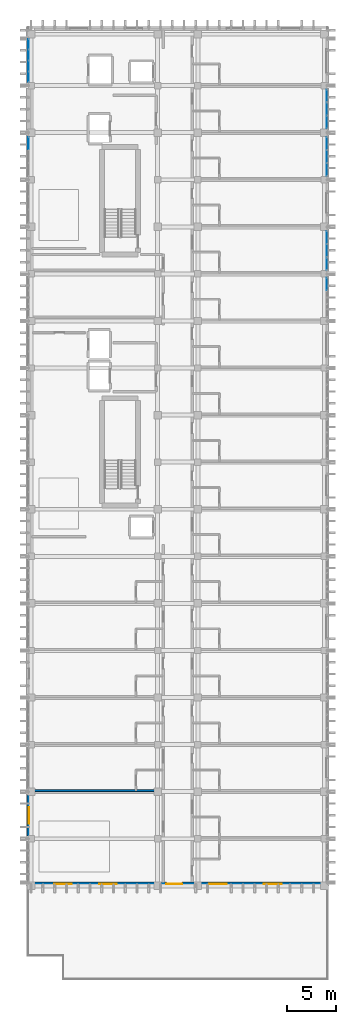
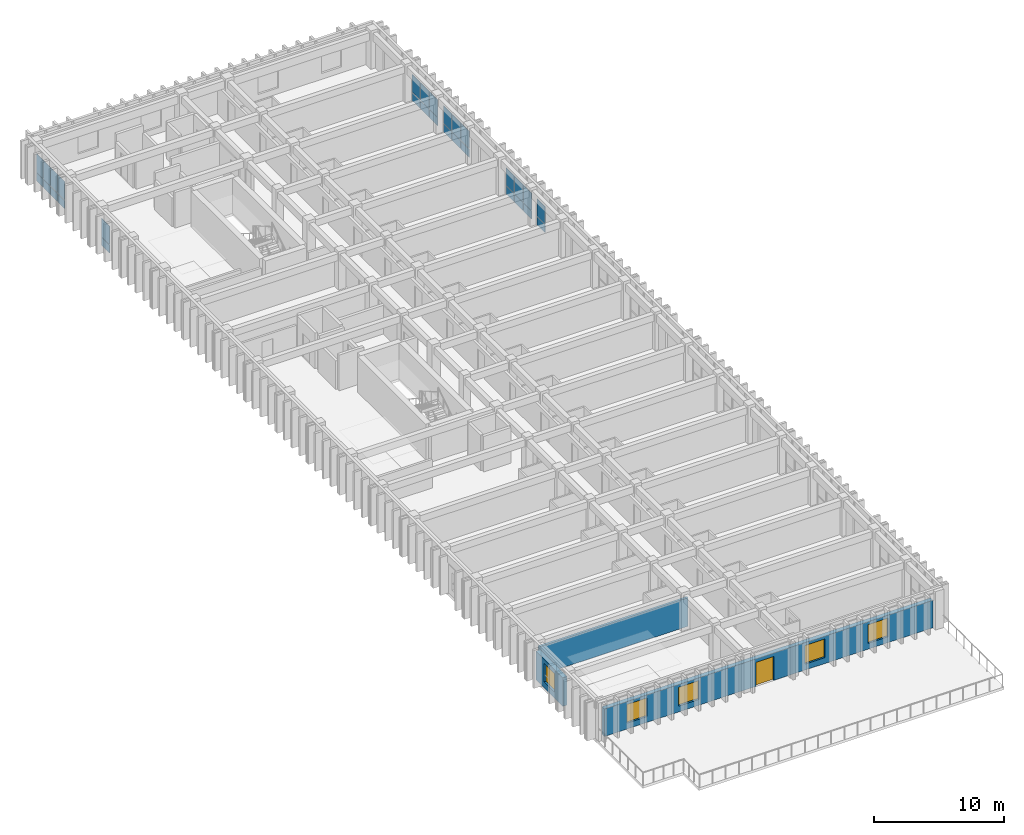
# One storey, part 49 of 64: 30 plates, 5 windows, 3 walls, 1 door, 6 openings, 6 elements without a shape of their own.
"""IFC4 building model written with IfcOpenShell, lengths in metres."""

from ifc_helpers import new_model, si_unit, direction, frame, frame_2d, origin, origin_2d, place, context, subcontext, project, spatial, rectangle, extrude, material, layer, layer_set, type_object, element, fill, aggregate, save


model = new_model("IFC4")

# Units and contexts
model_context = context("Model", 3, precision=1e-05, world=origin(), true_north=direction((0.0, 1.0)))
body_context = subcontext(model_context, "Body", "Model", "MODEL_VIEW")
ifc_project = project(units=[si_unit("LENGTHUNIT", "METRE"), si_unit("AREAUNIT", "SQUARE_METRE"), si_unit("VOLUMEUNIT", "CUBIC_METRE"), si_unit("PLANEANGLEUNIT", "RADIAN"), si_unit("MASSUNIT", "GRAM", prefix="KILO")], contexts=[model_context])

# Site, building, storey
site_placement = place(None, origin())
site = spatial("IfcSite", under=ifc_project, at=site_placement, CompositionType="ELEMENT")
building_placement = place(site_placement, origin())
building = spatial("IfcBuilding", under=site, at=building_placement, Name="Nakhvara Creek Congress Hotel", CompositionType="ELEMENT")
storey_placement = place(building_placement, frame((0.0, 0.0, 28.199951171875)))
storey = spatial("IfcBuildingStorey", under=building, at=storey_placement, Name="L06", CompositionType="ELEMENT", Elevation=28.199951171875)

# Curtain wall, plates
ifc_material_1 = material(Name="Bronze-anodised aluminium AW-6063-T6 and double-silver low-E glass", Category="aluminium")
ifc_layer_1 = layer(ifc_material_1, 0.199951171875)
ifc_layer_set_1 = layer_set([ifc_layer_1], Name="Bronze-anodised aluminium AW-6063-T6 and double-silver low-E glass")
curtain_wall_type = type_object("IfcCurtainWallType", Name="CW-HTL-UNIT", PredefinedType="USERDEFINED", material=ifc_layer_set_1)
curtain_wall_1_placement = place(storey_placement, origin())
curtain_wall_1 = element("IfcCurtainWall", 1, at=curtain_wall_1_placement, inside=storey, type_object=curtain_wall_type, Name="Curtain Wall CW247", ObjectType="UNITISED", PredefinedType="USERDEFINED")
ifc_material_2 = material(Name="Double-silver solar-control low-E insulated glass", Category="glass")
plate_type_1 = type_object("IfcPlateType", Name="PNL-GLZ-120X250", PredefinedType="CURTAIN_PANEL", material=ifc_material_2)
plate_1_placement = place(storey_placement, frame((179.60009765625, 104.515380859375, 0.065185546875), z_axis=(0.0, 0.0, 1.0), x_axis=(0.0, -1.0, 0.0)))
plate_1 = element("IfcPlate", 2, at=plate_1_placement, type_object=plate_type_1, Name="CW247 panel 1.1", PredefinedType="CURTAIN_PANEL", context=body_context, shape_type="SweptSolid", body=[
    extrude(rectangle(XDim=1.25927734375, YDim=0.028076171875, at=origin_2d()), origin(), (0.0, 0.0, 1.0), 0.75244140625),
])
plate_2_placement = place(storey_placement, frame((179.60009765625, 104.515380859375, 0.88232421875), z_axis=(0.0, 0.0, 1.0), x_axis=(0.0, -1.0, 0.0)))
plate_2 = element("IfcPlate", 3, at=plate_2_placement, type_object=plate_type_1, Name="CW247 panel 1.2", PredefinedType="CURTAIN_PANEL", context=body_context, shape_type="SweptSolid", body=[
    extrude(rectangle(XDim=1.25927734375, YDim=0.028076171875, at=origin_2d()), origin(), (0.0, 0.0, 1.0), 1.634521484375),
])
plate_3_placement = place(storey_placement, frame((179.60009765625, 103.175048828125, 0.065185546875), z_axis=(0.0, 0.0, 1.0), x_axis=(0.0, -1.0, 0.0)))
plate_3 = element("IfcPlate", 4, at=plate_3_placement, type_object=plate_type_1, Name="CW247 panel 2.1", PredefinedType="CURTAIN_PANEL", context=body_context, shape_type="SweptSolid", body=[
    extrude(rectangle(XDim=1.291748046875, YDim=0.028076171875, at=origin_2d()), origin(), (0.0, 0.0, 1.0), 0.75244140625),
])
plate_4_placement = place(storey_placement, frame((179.60009765625, 103.175048828125, 0.88232421875), z_axis=(0.0, 0.0, 1.0), x_axis=(0.0, -1.0, 0.0)))
plate_4 = element("IfcPlate", 5, at=plate_4_placement, type_object=plate_type_1, Name="CW247 panel 2.2", PredefinedType="CURTAIN_PANEL", context=body_context, shape_type="SweptSolid", body=[
    extrude(rectangle(XDim=1.291748046875, YDim=0.028076171875, at=origin_2d()), origin(), (0.0, 0.0, 1.0), 1.634521484375),
])
plate_5_placement = place(storey_placement, frame((179.60009765625, 101.83447265625, 0.065185546875), z_axis=(0.0, 0.0, 1.0), x_axis=(0.0, -1.0, 0.0)))
plate_5 = element("IfcPlate", 6, at=plate_5_placement, type_object=plate_type_1, Name="CW247 panel 3.1", PredefinedType="CURTAIN_PANEL", context=body_context, shape_type="SweptSolid", body=[
    extrude(rectangle(XDim=1.25927734375, YDim=0.028076171875, at=origin_2d()), origin(), (0.0, 0.0, 1.0), 0.75244140625),
])
plate_6_placement = place(storey_placement, frame((179.60009765625, 101.83447265625, 0.88232421875), z_axis=(0.0, 0.0, 1.0), x_axis=(0.0, -1.0, 0.0)))
plate_6 = element("IfcPlate", 7, at=plate_6_placement, type_object=plate_type_1, Name="CW247 panel 3.2", PredefinedType="CURTAIN_PANEL", context=body_context, shape_type="SweptSolid", body=[
    extrude(rectangle(XDim=1.25927734375, YDim=0.028076171875, at=origin_2d()), origin(), (0.0, 0.0, 1.0), 1.634521484375),
])
aggregate(curtain_wall_1, [plate_1, plate_2, plate_3, plate_4, plate_5, plate_6])

curtain_wall_2_placement = place(storey_placement, origin())
curtain_wall_2 = element("IfcCurtainWall", 8, at=curtain_wall_2_placement, inside=storey, type_object=curtain_wall_type, Name="Curtain Wall CW249", ObjectType="UNITISED", PredefinedType="USERDEFINED")
plate_7_placement = place(storey_placement, frame((179.60009765625, 114.115478515625, 0.065185546875), z_axis=(0.0, 0.0, 1.0), x_axis=(0.0, -1.0, 0.0)))
plate_7 = element("IfcPlate", 9, at=plate_7_placement, type_object=plate_type_1, Name="CW249 panel 1.1", PredefinedType="CURTAIN_PANEL", context=body_context, shape_type="SweptSolid", body=[
    extrude(rectangle(XDim=1.25927734375, YDim=0.028076171875, at=origin_2d()), origin(), (0.0, 0.0, 1.0), 0.75244140625),
])
plate_8_placement = place(storey_placement, frame((179.60009765625, 114.115478515625, 0.88232421875), z_axis=(0.0, 0.0, 1.0), x_axis=(0.0, -1.0, 0.0)))
plate_8 = element("IfcPlate", 10, at=plate_8_placement, type_object=plate_type_1, Name="CW249 panel 1.2", PredefinedType="CURTAIN_PANEL", context=body_context, shape_type="SweptSolid", body=[
    extrude(rectangle(XDim=1.25927734375, YDim=0.028076171875, at=origin_2d()), origin(), (0.0, 0.0, 1.0), 1.634521484375),
])
plate_9_placement = place(storey_placement, frame((179.60009765625, 112.77490234375, 0.065185546875), z_axis=(0.0, 0.0, 1.0), x_axis=(0.0, -1.0, 0.0)))
plate_9 = element("IfcPlate", 11, at=plate_9_placement, type_object=plate_type_1, Name="CW249 panel 2.1", PredefinedType="CURTAIN_PANEL", context=body_context, shape_type="SweptSolid", body=[
    extrude(rectangle(XDim=1.291748046875, YDim=0.028076171875, at=origin_2d()), origin(), (0.0, 0.0, 1.0), 0.75244140625),
])
plate_10_placement = place(storey_placement, frame((179.60009765625, 112.77490234375, 0.88232421875), z_axis=(0.0, 0.0, 1.0), x_axis=(0.0, -1.0, 0.0)))
plate_10 = element("IfcPlate", 12, at=plate_10_placement, type_object=plate_type_1, Name="CW249 panel 2.2", PredefinedType="CURTAIN_PANEL", context=body_context, shape_type="SweptSolid", body=[
    extrude(rectangle(XDim=1.291748046875, YDim=0.028076171875, at=origin_2d()), origin(), (0.0, 0.0, 1.0), 1.634521484375),
])
plate_11_placement = place(storey_placement, frame((179.60009765625, 111.4345703125, 0.065185546875), z_axis=(0.0, 0.0, 1.0), x_axis=(0.0, -1.0, 0.0)))
plate_11 = element("IfcPlate", 13, at=plate_11_placement, type_object=plate_type_1, Name="CW249 panel 3.1", PredefinedType="CURTAIN_PANEL", context=body_context, shape_type="SweptSolid", body=[
    extrude(rectangle(XDim=1.25927734375, YDim=0.028076171875, at=origin_2d()), origin(), (0.0, 0.0, 1.0), 0.75244140625),
])
plate_12_placement = place(storey_placement, frame((179.60009765625, 111.4345703125, 0.88232421875), z_axis=(0.0, 0.0, 1.0), x_axis=(0.0, -1.0, 0.0)))
plate_12 = element("IfcPlate", 14, at=plate_12_placement, type_object=plate_type_1, Name="CW249 panel 3.2", PredefinedType="CURTAIN_PANEL", context=body_context, shape_type="SweptSolid", body=[
    extrude(rectangle(XDim=1.25927734375, YDim=0.028076171875, at=origin_2d()), origin(), (0.0, 0.0, 1.0), 1.634521484375),
])
aggregate(curtain_wall_2, [plate_7, plate_8, plate_9, plate_10, plate_11, plate_12])

curtain_wall_3_placement = place(storey_placement, origin())
curtain_wall_3 = element("IfcCurtainWall", 15, at=curtain_wall_3_placement, inside=storey, type_object=curtain_wall_type, Name="Curtain Wall CW250", ObjectType="UNITISED", PredefinedType="USERDEFINED")
plate_13_placement = place(storey_placement, frame((149.199951171875, 114.115478515625, 0.065185546875), z_axis=(0.0, 0.0, 1.0), x_axis=(0.0, 1.0, 0.0)))
plate_13 = element("IfcPlate", 16, at=plate_13_placement, type_object=plate_type_1, Name="CW250 panel 3.1", PredefinedType="CURTAIN_PANEL", context=body_context, shape_type="SweptSolid", body=[
    extrude(rectangle(XDim=1.25927734375, YDim=0.028076171875, at=origin_2d()), origin(), (0.0, 0.0, 1.0), 0.75244140625),
])
plate_14_placement = place(storey_placement, frame((149.199951171875, 114.115478515625, 0.88232421875), z_axis=(0.0, 0.0, 1.0), x_axis=(0.0, 1.0, 0.0)))
plate_14 = element("IfcPlate", 17, at=plate_14_placement, type_object=plate_type_1, Name="CW250 panel 3.2", PredefinedType="CURTAIN_PANEL", context=body_context, shape_type="SweptSolid", body=[
    extrude(rectangle(XDim=1.25927734375, YDim=0.028076171875, at=origin_2d()), origin(), (0.0, 0.0, 1.0), 1.734619140625),
])
aggregate(curtain_wall_3, [plate_13, plate_14])

curtain_wall_4_placement = place(storey_placement, origin())
curtain_wall_4 = element("IfcCurtainWall", 18, at=curtain_wall_4_placement, inside=storey, type_object=curtain_wall_type, Name="Curtain Wall CW251", ObjectType="UNITISED", PredefinedType="USERDEFINED")
plate_15_placement = place(storey_placement, frame((179.60009765625, 118.96533203125, 0.065185546875), z_axis=(0.0, 0.0, 1.0), x_axis=(0.0, -1.0, 0.0)))
plate_15 = element("IfcPlate", 19, at=plate_15_placement, type_object=plate_type_1, Name="CW251 panel 1.1", PredefinedType="CURTAIN_PANEL", context=body_context, shape_type="SweptSolid", body=[
    extrude(rectangle(XDim=1.25927734375, YDim=0.028076171875, at=origin_2d()), origin(), (0.0, 0.0, 1.0), 0.75244140625),
])
plate_16_placement = place(storey_placement, frame((179.60009765625, 118.96533203125, 0.88232421875), z_axis=(0.0, 0.0, 1.0), x_axis=(0.0, -1.0, 0.0)))
plate_16 = element("IfcPlate", 20, at=plate_16_placement, type_object=plate_type_1, Name="CW251 panel 1.2", PredefinedType="CURTAIN_PANEL", context=body_context, shape_type="SweptSolid", body=[
    extrude(rectangle(XDim=1.25927734375, YDim=0.028076171875, at=origin_2d()), origin(), (0.0, 0.0, 1.0), 1.634521484375),
])
plate_17_placement = place(storey_placement, frame((179.60009765625, 117.625, 0.065185546875), z_axis=(0.0, 0.0, 1.0), x_axis=(0.0, -1.0, 0.0)))
plate_17 = element("IfcPlate", 21, at=plate_17_placement, type_object=plate_type_1, Name="CW251 panel 2.1", PredefinedType="CURTAIN_PANEL", context=body_context, shape_type="SweptSolid", body=[
    extrude(rectangle(XDim=1.291748046875, YDim=0.028076171875, at=origin_2d()), origin(), (0.0, 0.0, 1.0), 0.75244140625),
])
plate_18_placement = place(storey_placement, frame((179.60009765625, 117.625, 0.88232421875), z_axis=(0.0, 0.0, 1.0), x_axis=(0.0, -1.0, 0.0)))
plate_18 = element("IfcPlate", 22, at=plate_18_placement, type_object=plate_type_1, Name="CW251 panel 2.2", PredefinedType="CURTAIN_PANEL", context=body_context, shape_type="SweptSolid", body=[
    extrude(rectangle(XDim=1.291748046875, YDim=0.028076171875, at=origin_2d()), origin(), (0.0, 0.0, 1.0), 1.634521484375),
])
plate_19_placement = place(storey_placement, frame((179.60009765625, 116.28466796875, 0.065185546875), z_axis=(0.0, 0.0, 1.0), x_axis=(0.0, -1.0, 0.0)))
plate_19 = element("IfcPlate", 23, at=plate_19_placement, type_object=plate_type_1, Name="CW251 panel 3.1", PredefinedType="CURTAIN_PANEL", context=body_context, shape_type="SweptSolid", body=[
    extrude(rectangle(XDim=1.25927734375, YDim=0.028076171875, at=origin_2d()), origin(), (0.0, 0.0, 1.0), 0.75244140625),
])
plate_20_placement = place(storey_placement, frame((179.60009765625, 116.28466796875, 0.88232421875), z_axis=(0.0, 0.0, 1.0), x_axis=(0.0, -1.0, 0.0)))
plate_20 = element("IfcPlate", 24, at=plate_20_placement, type_object=plate_type_1, Name="CW251 panel 3.2", PredefinedType="CURTAIN_PANEL", context=body_context, shape_type="SweptSolid", body=[
    extrude(rectangle(XDim=1.25927734375, YDim=0.028076171875, at=origin_2d()), origin(), (0.0, 0.0, 1.0), 1.634521484375),
])
aggregate(curtain_wall_4, [plate_15, plate_16, plate_17, plate_18, plate_19, plate_20])

curtain_wall_5_placement = place(storey_placement, origin())
curtain_wall_5 = element("IfcCurtainWall", 25, at=curtain_wall_5_placement, inside=storey, type_object=curtain_wall_type, Name="Curtain Wall CW252", ObjectType="UNITISED", PredefinedType="USERDEFINED")
plate_21_placement = place(storey_placement, frame((149.199951171875, 120.913818359375, 0.065185546875), z_axis=(0.0, 0.0, 1.0), x_axis=(0.0, 1.0, 0.0)))
plate_21 = element("IfcPlate", 26, at=plate_21_placement, type_object=plate_type_1, Name="CW252 panel 1.1", PredefinedType="CURTAIN_PANEL", context=body_context, shape_type="SweptSolid", body=[
    extrude(rectangle(XDim=1.017578125, YDim=0.028076171875, at=origin_2d()), origin(), (0.0, 0.0, 1.0), 0.75244140625),
])
plate_22_placement = place(storey_placement, frame((149.199951171875, 120.913818359375, 0.88232421875), z_axis=(0.0, 0.0, 1.0), x_axis=(0.0, 1.0, 0.0)))
plate_22 = element("IfcPlate", 27, at=plate_22_placement, type_object=plate_type_1, Name="CW252 panel 1.2", PredefinedType="CURTAIN_PANEL", context=body_context, shape_type="SweptSolid", body=[
    extrude(rectangle(XDim=1.017578125, YDim=0.028076171875, at=origin_2d()), origin(), (0.0, 0.0, 1.0), 1.734619140625),
])
plate_23_placement = place(storey_placement, frame((149.199951171875, 122.012451171875, 0.065185546875), z_axis=(0.0, 0.0, 1.0), x_axis=(0.0, 1.0, 0.0)))
plate_23 = element("IfcPlate", 28, at=plate_23_placement, type_object=plate_type_1, Name="CW252 panel 2.1", PredefinedType="CURTAIN_PANEL", context=body_context, shape_type="SweptSolid", body=[
    extrude(rectangle(XDim=1.050048828125, YDim=0.028076171875, at=origin_2d()), origin(), (0.0, 0.0, 1.0), 0.75244140625),
])
plate_24_placement = place(storey_placement, frame((149.199951171875, 122.012451171875, 0.88232421875), z_axis=(0.0, 0.0, 1.0), x_axis=(0.0, 1.0, 0.0)))
plate_24 = element("IfcPlate", 29, at=plate_24_placement, type_object=plate_type_1, Name="CW252 panel 2.2", PredefinedType="CURTAIN_PANEL", context=body_context, shape_type="SweptSolid", body=[
    extrude(rectangle(XDim=1.050048828125, YDim=0.028076171875, at=origin_2d()), origin(), (0.0, 0.0, 1.0), 1.734619140625),
])
plate_25_placement = place(storey_placement, frame((149.199951171875, 123.12744140625, 0.065185546875), z_axis=(0.0, 0.0, 1.0), x_axis=(0.0, 1.0, 0.0)))
plate_25 = element("IfcPlate", 30, at=plate_25_placement, type_object=plate_type_1, Name="CW252 panel 3.1", PredefinedType="CURTAIN_PANEL", context=body_context, shape_type="SweptSolid", body=[
    extrude(rectangle(XDim=1.050048828125, YDim=0.028076171875, at=origin_2d()), origin(), (0.0, 0.0, 1.0), 0.75244140625),
])
plate_26_placement = place(storey_placement, frame((149.199951171875, 123.12744140625, 0.88232421875), z_axis=(0.0, 0.0, 1.0), x_axis=(0.0, 1.0, 0.0)))
plate_26 = element("IfcPlate", 31, at=plate_26_placement, type_object=plate_type_1, Name="CW252 panel 3.2", PredefinedType="CURTAIN_PANEL", context=body_context, shape_type="SweptSolid", body=[
    extrude(rectangle(XDim=1.050048828125, YDim=0.028076171875, at=origin_2d()), origin(), (0.0, 0.0, 1.0), 1.734619140625),
])
plate_27_placement = place(storey_placement, frame((149.199951171875, 124.226318359375, 0.065185546875), z_axis=(0.0, 0.0, 1.0), x_axis=(0.0, 1.0, 0.0)))
plate_27 = element("IfcPlate", 32, at=plate_27_placement, type_object=plate_type_1, Name="CW252 panel 4.1", PredefinedType="CURTAIN_PANEL", context=body_context, shape_type="SweptSolid", body=[
    extrude(rectangle(XDim=1.017578125, YDim=0.028076171875, at=origin_2d()), origin(), (0.0, 0.0, 1.0), 0.75244140625),
])
plate_28_placement = place(storey_placement, frame((149.199951171875, 124.226318359375, 0.88232421875), z_axis=(0.0, 0.0, 1.0), x_axis=(0.0, 1.0, 0.0)))
plate_28 = element("IfcPlate", 33, at=plate_28_placement, type_object=plate_type_1, Name="CW252 panel 4.2", PredefinedType="CURTAIN_PANEL", context=body_context, shape_type="SweptSolid", body=[
    extrude(rectangle(XDim=1.017578125, YDim=0.028076171875, at=origin_2d()), origin(), (0.0, 0.0, 1.0), 1.734619140625),
])
aggregate(curtain_wall_5, [plate_21, plate_22, plate_23, plate_24, plate_25, plate_26, plate_27, plate_28])

curtain_wall_6_placement = place(storey_placement, origin())
curtain_wall_6 = element("IfcCurtainWall", 34, at=curtain_wall_6_placement, inside=storey, type_object=curtain_wall_type, Name="Curtain Wall CW245", ObjectType="UNITISED", PredefinedType="USERDEFINED")
ifc_material_3 = material(Name="Back-insulated bronze spandrel glass panel", Category="glass")
plate_type_2 = type_object("IfcPlateType", Name="PNL-SPN-120X080", PredefinedType="CURTAIN_PANEL", material=ifc_material_3)
plate_29_placement = place(storey_placement, frame((179.60009765625, 99.765380859375, 0.065185546875), z_axis=(0.0, 0.0, 1.0), x_axis=(0.0, -1.0, 0.0)))
plate_29 = element("IfcPlate", 35, at=plate_29_placement, type_object=plate_type_2, Name="CW245 panel 1.1", PredefinedType="CURTAIN_PANEL", context=body_context, shape_type="SweptSolid", body=[
    extrude(rectangle(XDim=1.25927734375, YDim=0.0419921875, at=origin_2d()), origin(), (0.0, 0.0, 1.0), 0.75244140625),
])
plate_30_placement = place(storey_placement, frame((179.60009765625, 99.765380859375, 0.88232421875), z_axis=(0.0, 0.0, 1.0), x_axis=(0.0, -1.0, 0.0)))
plate_30 = element("IfcPlate", 36, at=plate_30_placement, type_object=plate_type_2, Name="CW245 panel 1.2", PredefinedType="CURTAIN_PANEL", context=body_context, shape_type="SweptSolid", body=[
    extrude(rectangle(XDim=1.25927734375, YDim=0.0419921875, at=origin_2d()), origin(), (0.0, 0.0, 1.0), 1.634521484375),
])
aggregate(curtain_wall_6, [plate_29, plate_30])

# Wall, openings, door, windows
ifc_material_4 = material(Name="Honed pale Omani limestone cladding", Category="masonry")
ifc_layer_2 = layer(ifc_material_4, 0.050048828125)
ifc_material_5 = material(Name="Mineral wool thermal insulation")
ifc_layer_3 = layer(ifc_material_5, 0.110107421875)
ifc_material_6 = material(Name="Precast concrete C40/50", Category="concrete")
ifc_layer_4 = layer(ifc_material_6, 0.219970703125)
ifc_layer_set_2 = layer_set([ifc_layer_2, ifc_layer_3, ifc_layer_4], Name="Precast concrete C40/50")
wall_type_1 = type_object("IfcWallType", Name="W-EXT-380", PredefinedType="SOLIDWALL", material=ifc_layer_set_2)
wall_1_placement = place(storey_placement, frame((179.0, 38.590087890625, 0.0), z_axis=(0.0, 0.0, 1.0), x_axis=(-1.0, 0.0, 0.0)))
wall_1 = element("IfcWall", 37, at=wall_1_placement, inside=storey, type_object=wall_type_1, Name="Exterior Wall WE03-EW-L06-0163", PredefinedType="SOLIDWALL", context=body_context, shape_type="SweptSolid", body=[
    extrude(rectangle(XDim=29.199951171875, YDim=0.3798828125, at=frame_2d((14.60009765625, 0.0))), origin(), (0.0, 0.0, 1.0), 2.58203125),
])
opening_1_placement = place(wall_1_placement, frame((14.14990234375, 0.0, 0.0)))
opening_1 = element("IfcOpeningElement", 38, at=opening_1_placement, cuts=wall_1, Name="Opening TDL06S", PredefinedType="OPENING", context=body_context, shape_type="SweptSolid", body=[
    extrude(rectangle(XDim=1.60009765625, YDim=2.25, at=frame_2d((0.800048828125, 1.125))), frame((0.0, 0.201904296875, 0.0), z_axis=(0.0, -1.0, 0.0), x_axis=(1.0, 0.0, 0.0)), (0.0, 0.0, 1.0), 0.40380859375),
])
opening_2_placement = place(wall_1_placement, frame((4.0, 0.0, 0.550048828125)))
opening_2 = element("IfcOpeningElement", 39, at=opening_2_placement, cuts=wall_1, Name="Opening WN0174", PredefinedType="OPENING", context=body_context, shape_type="SweptSolid", body=[
    extrude(rectangle(XDim=1.800048828125, YDim=1.760009765625, at=frame_2d((0.89990234375, 0.8798828125))), frame((0.0, 0.201904296875, 0.0), z_axis=(0.0, -1.0, 0.0), x_axis=(1.0, 0.0, 0.0)), (0.0, 0.0, 1.0), 0.40380859375),
])
opening_3_placement = place(wall_1_placement, frame((9.60009765625, 0.0, 0.550048828125)))
opening_3 = element("IfcOpeningElement", 40, at=opening_3_placement, cuts=wall_1, Name="Opening WN0175", PredefinedType="OPENING", context=body_context, shape_type="SweptSolid", body=[
    extrude(rectangle(XDim=1.800048828125, YDim=1.760009765625, at=frame_2d((0.89990234375, 0.8798828125))), frame((0.0, 0.201904296875, 0.0), z_axis=(0.0, -1.0, 0.0), x_axis=(1.0, 0.0, 0.0)), (0.0, 0.0, 1.0), 0.40380859375),
])
opening_4_placement = place(wall_1_placement, frame((20.800048828125, 0.0, 0.550048828125)))
opening_4 = element("IfcOpeningElement", 41, at=opening_4_placement, cuts=wall_1, Name="Opening WN0176", PredefinedType="OPENING", context=body_context, shape_type="SweptSolid", body=[
    extrude(rectangle(XDim=1.800048828125, YDim=1.760009765625, at=frame_2d((0.89990234375, 0.8798828125))), frame((0.0, 0.201904296875, 0.0), z_axis=(0.0, -1.0, 0.0), x_axis=(1.0, 0.0, 0.0)), (0.0, 0.0, 1.0), 0.40380859375),
])
opening_5_placement = place(wall_1_placement, frame((25.39990234375, 0.0, 0.550048828125)))
opening_5 = element("IfcOpeningElement", 42, at=opening_5_placement, cuts=wall_1, Name="Opening WN0177", PredefinedType="OPENING", context=body_context, shape_type="SweptSolid", body=[
    extrude(rectangle(XDim=1.800048828125, YDim=1.760009765625, at=frame_2d((0.89990234375, 0.8798828125))), frame((0.0, 0.201904296875, 0.0), z_axis=(0.0, -1.0, 0.0), x_axis=(1.0, 0.0, 0.0)), (0.0, 0.0, 1.0), 0.40380859375),
])
ifc_material_7 = material(Name="Bronze-anodised aluminium and laminated low-E glass", Category="aluminium")
door_type = type_object("IfcDoorType", Name="DT-EXT-TER160", OperationType="DOUBLE_DOOR_SINGLE_SWING", PredefinedType="DOOR", material=ifc_material_7)
door_placement = place(opening_1_placement, origin())
door = element("IfcDoor", 43, at=door_placement, inside=storey, type_object=door_type, Name="Creekside Setback Terrace Door TDL06S", OperationType="DOUBLE_DOOR_SINGLE_SWING", OverallHeight=2.25, OverallWidth=1.60009765625, PredefinedType="DOOR", context=body_context, shape_type="SweptSolid", body=[
    extrude(rectangle(XDim=1.60009765625, YDim=2.25, at=frame_2d((0.800048828125, 1.125))), frame((0.0, 0.02490234375, 0.0), z_axis=(0.0, -1.0, 0.0), x_axis=(1.0, 0.0, 0.0)), (0.0, 0.0, 1.0), 0.050048828125),
])
fill(opening_1, door)
ifc_material_8 = material(Name="Thermally broken bronze-anodised aluminium and double-silver low-E insulated glass", Category="aluminium")
window_type_1 = type_object("IfcWindowType", Name="WN-LAN-180X225", PartitioningType="SINGLE_PANEL", PredefinedType="WINDOW", material=ifc_material_8)
window_1_placement = place(opening_2_placement, origin())
window_1 = element("IfcWindow", 44, at=window_1_placement, inside=storey, type_object=window_type_1, Name="Facade Window WN0174", OverallHeight=1.760009765625, OverallWidth=1.800048828125, PartitioningType="SINGLE_PANEL", PredefinedType="WINDOW", context=body_context, shape_type="SweptSolid", body=[
    extrude(rectangle(XDim=1.800048828125, YDim=1.760009765625, at=frame_2d((0.89990234375, 0.8798828125))), frame((0.0, 0.030029296875, 0.0), z_axis=(0.0, -1.0, 0.0), x_axis=(1.0, 0.0, 0.0)), (0.0, 0.0, 1.0), 0.06005859375),
])
fill(opening_2, window_1)
window_2_placement = place(opening_3_placement, origin())
window_2 = element("IfcWindow", 45, at=window_2_placement, inside=storey, type_object=window_type_1, Name="Facade Window WN0175", OverallHeight=1.760009765625, OverallWidth=1.800048828125, PartitioningType="SINGLE_PANEL", PredefinedType="WINDOW", context=body_context, shape_type="SweptSolid", body=[
    extrude(rectangle(XDim=1.800048828125, YDim=1.760009765625, at=frame_2d((0.89990234375, 0.8798828125))), frame((0.0, 0.030029296875, 0.0), z_axis=(0.0, -1.0, 0.0), x_axis=(1.0, 0.0, 0.0)), (0.0, 0.0, 1.0), 0.06005859375),
])
fill(opening_3, window_2)
window_3_placement = place(opening_4_placement, origin())
window_3 = element("IfcWindow", 46, at=window_3_placement, inside=storey, type_object=window_type_1, Name="Facade Window WN0176", OverallHeight=1.760009765625, OverallWidth=1.800048828125, PartitioningType="SINGLE_PANEL", PredefinedType="WINDOW", context=body_context, shape_type="SweptSolid", body=[
    extrude(rectangle(XDim=1.800048828125, YDim=1.760009765625, at=frame_2d((0.89990234375, 0.8798828125))), frame((0.0, 0.030029296875, 0.0), z_axis=(0.0, -1.0, 0.0), x_axis=(1.0, 0.0, 0.0)), (0.0, 0.0, 1.0), 0.06005859375),
])
fill(opening_4, window_3)
window_4_placement = place(opening_5_placement, origin())
window_4 = element("IfcWindow", 47, at=window_4_placement, inside=storey, type_object=window_type_1, Name="Facade Window WN0177", OverallHeight=1.760009765625, OverallWidth=1.800048828125, PartitioningType="SINGLE_PANEL", PredefinedType="WINDOW", context=body_context, shape_type="SweptSolid", body=[
    extrude(rectangle(XDim=1.800048828125, YDim=1.760009765625, at=frame_2d((0.89990234375, 0.8798828125))), frame((0.0, 0.030029296875, 0.0), z_axis=(0.0, -1.0, 0.0), x_axis=(1.0, 0.0, 0.0)), (0.0, 0.0, 1.0), 0.06005859375),
])
fill(opening_5, window_4)

# Wall, opening, window
wall_2_placement = place(storey_placement, frame((149.239990234375, 43.5, 0.0), z_axis=(0.0, 0.0, 1.0), x_axis=(0.0, 1.0, 0.0)))
wall_2 = element("IfcWall", 48, at=wall_2_placement, inside=storey, type_object=wall_type_1, Name="Exterior Wall WE03-EW-L06-0164", PredefinedType="SOLIDWALL", context=body_context, shape_type="SweptSolid", body=[
    extrude(rectangle(XDim=4.14990234375, YDim=0.3798828125, at=frame_2d((2.074951171875, 0.0))), origin(), (0.0, 0.0, 1.0), 2.68212890625),
])
opening_6_placement = place(wall_2_placement, frame((1.25, 0.0, 0.550048828125)))
opening_6 = element("IfcOpeningElement", 49, at=opening_6_placement, cuts=wall_2, Name="Opening WN0178", PredefinedType="OPENING", context=body_context, shape_type="SweptSolid", body=[
    extrude(rectangle(XDim=1.64990234375, YDim=1.75, at=frame_2d((0.824951171875, 0.875))), frame((0.0, 0.201904296875, 0.0), z_axis=(0.0, -1.0, 0.0), x_axis=(1.0, 0.0, 0.0)), (0.0, 0.0, 1.0), 0.40380859375),
])
window_type_2 = type_object("IfcWindowType", Name="WN-LAN-165X225", PartitioningType="SINGLE_PANEL", PredefinedType="WINDOW", material=ifc_material_8)
window_5_placement = place(opening_6_placement, origin())
window_5 = element("IfcWindow", 50, at=window_5_placement, inside=storey, type_object=window_type_2, Name="Facade Window WN0178", OverallHeight=1.75, OverallWidth=1.64990234375, PartitioningType="SINGLE_PANEL", PredefinedType="WINDOW", context=body_context, shape_type="SweptSolid", body=[
    extrude(rectangle(XDim=1.64990234375, YDim=1.75, at=frame_2d((0.824951171875, 0.875))), frame((0.0, 0.030029296875, 0.0), z_axis=(0.0, -1.0, 0.0), x_axis=(1.0, 0.0, 0.0)), (0.0, 0.0, 1.0), 0.06005859375),
])
fill(opening_6, window_5)

# Wall
ifc_material_9 = material(Name="Gypsum acoustic board on steel stud", Category="steel")
ifc_layer_5 = layer(ifc_material_9, 0.199951171875)
ifc_layer_set_3 = layer_set([ifc_layer_5], Name="Gypsum acoustic board on steel stud")
wall_type_2 = type_object("IfcWallType", Name="W-PART-200", PredefinedType="PARTITIONING", material=ifc_layer_set_3)
wall_3_placement = place(storey_placement, frame((149.550048828125, 48.10009765625, 0.0), z_axis=(0.0, 0.0, 1.0), x_axis=(1.0, 0.0, 0.0)))
element("IfcWall", 51, at=wall_3_placement, inside=storey, type_object=wall_type_2, Name="Interior Wall WP12-IW-L06-0450", PredefinedType="PARTITIONING", context=body_context, shape_type="SweptSolid", body=[
    extrude(rectangle(XDim=13.22998046875, YDim=0.199951171875, at=frame_2d((6.614990234375, 0.0))), origin(), (0.0, 0.0, 1.0), 2.68212890625),
])

save(model, "model.ifc")
